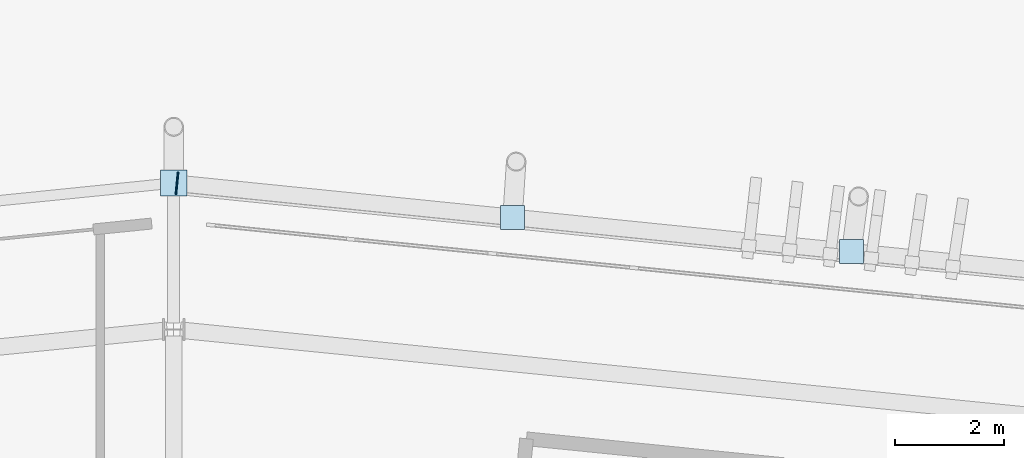
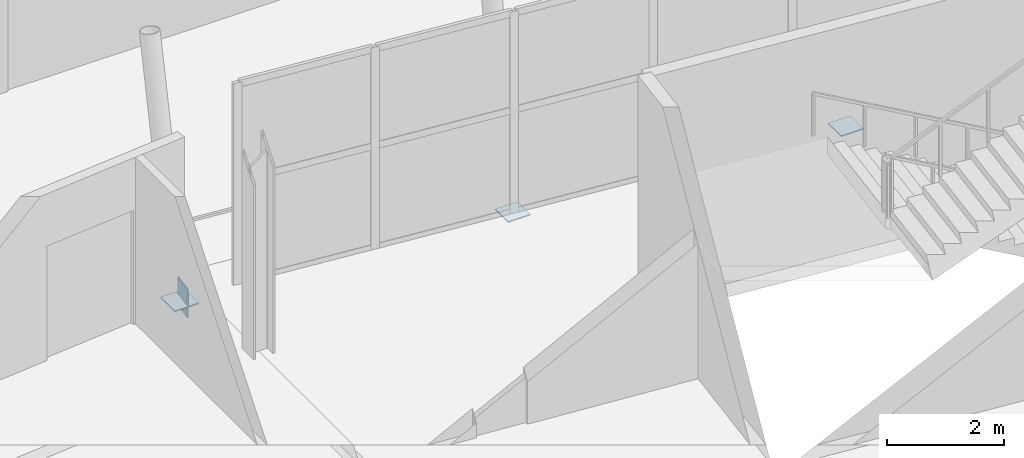
# One storey, part 119 of 179: 4 plates.
"""IFC4 building model written with IfcOpenShell, lengths in metres."""

import ifcopenshell
import ifcopenshell.guid

model = None  # the IFC model being written
_history = None  # IfcOwnerHistory: only IFC2X3 demands one
_inside = {}  # id of a spatial element -> (the spatial element, [elements in it])
_under = {}  # id of a project, library or spatial element -> (it, [spatial elements below it])
_declared = {}  # id of a project -> (the project, [libraries it declares])
_typed = {}  # id of a type object -> (the type object, [elements of that type])
_made_of = {}  # id of a material, layer set ... -> (it, [elements and type objects made of it])


def new_model(schema):
    """Start an empty IFC model of exactly this schema.

    Asked for "IFC4X3", IfcOpenShell would pick the latest addendum, in which some entities
    have other attributes; the version numbers below select the first issue.
    IFC2X3 requires an IfcOwnerHistory on every rooted entity: one is made here for all.
    """
    global model, _history
    if schema == "IFC4X3":
        model = ifcopenshell.file(schema_version=(4, 3, 0, 0))
    else:
        model = ifcopenshell.file(schema=schema)
    _inside.clear()
    _under.clear()
    _declared.clear()
    _typed.clear()
    _made_of.clear()
    _history = None
    if model.schema == "IFC2X3":
        org = make("IfcOrganization", Name="unknown")
        user = make(
            "IfcPersonAndOrganization",
            ThePerson=make("IfcPerson", FamilyName="unknown"),
            TheOrganization=org,
        )
        app = make(
            "IfcApplication",
            ApplicationDeveloper=org,
            Version="unknown",
            ApplicationFullName="unknown",
            ApplicationIdentifier="unknown",
        )
        _history = make(
            "IfcOwnerHistory",
            OwningUser=user,
            OwningApplication=app,
            ChangeAction="ADDED",
            CreationDate=0,
        )
    return model


def make(cls, **values):
    """One entity of the class cls with the attributes given. An attribute that is None is left unset."""
    return model.create_entity(
        cls, **{name: value for name, value in values.items() if value is not None}
    )


def rooted(cls, **values):
    """An entity with a GlobalId (a new one), such as an element, a storey or a relation."""
    return make(cls, GlobalId=ifcopenshell.guid.new(), OwnerHistory=_history, **values)


def si_unit(unit_type, name, prefix=None):
    """IfcSIUnit, for example si_unit("LENGTHUNIT", "METRE", prefix="MILLI")."""
    return make("IfcSIUnit", UnitType=unit_type, Prefix=prefix, Name=name)


def assignment(units):
    """IfcUnitAssignment: the units of a project."""
    return None if units is None else make("IfcUnitAssignment", Units=units)


def point(xyz):
    """IfcCartesianPoint."""
    return None if xyz is None else make("IfcCartesianPoint", Coordinates=xyz)


def direction(xyz):
    """IfcDirection."""
    return None if xyz is None else make("IfcDirection", DirectionRatios=xyz)


def frame(location, z_axis=None, x_axis=None):
    """IfcAxis2Placement3D, a coordinate frame: its origin and axes. An axis left out is left unset."""
    return make(
        "IfcAxis2Placement3D",
        Location=point(location),
        Axis=direction(z_axis),
        RefDirection=direction(x_axis),
    )


def frame_2d(location, x_axis=None):
    """IfcAxis2Placement2D, a coordinate frame in the plane: its origin and x axis."""
    return make(
        "IfcAxis2Placement2D", Location=point(location), RefDirection=direction(x_axis)
    )


def origin():
    """The frame at (0, 0, 0) with its axes left unset."""
    return frame((0.0, 0.0, 0.0))


def origin_2d():
    """The frame at (0, 0) in the plane with its x axis left unset."""
    return frame_2d((0.0, 0.0))


def place(relative_to, where):
    """IfcLocalPlacement: puts the frame where relative to a parent placement (None: the world)."""
    return make(
        "IfcLocalPlacement", PlacementRelTo=relative_to, RelativePlacement=where
    )


def context(
    kind, dimensions, precision=None, world=None, true_north=None, identifier=None
):
    """IfcGeometricRepresentationContext, for example the 3D "Model" context."""
    return make(
        "IfcGeometricRepresentationContext",
        ContextIdentifier=identifier,
        ContextType=kind,
        CoordinateSpaceDimension=dimensions,
        Precision=precision,
        WorldCoordinateSystem=world,
        TrueNorth=true_north,
    )


def subcontext(parent, identifier, kind, view, scale=None):
    """IfcGeometricRepresentationSubContext, for example "Body" below "Model"."""
    return make(
        "IfcGeometricRepresentationSubContext",
        ContextIdentifier=identifier,
        ContextType=kind,
        ParentContext=parent,
        TargetScale=scale,
        TargetView=view,
    )


def project(units=None, contexts=None):
    """IfcProject with its units and contexts."""
    return rooted(
        "IfcProject",
        Name="project",
        RepresentationContexts=contexts,
        UnitsInContext=assignment(units),
    )


def spatial(cls, under=None, at=None, **own):
    """A site, building, storey or space (cls), placed at a placement, below another one or the project."""
    s = rooted(cls, ObjectPlacement=at, **own)
    if under is not None:
        _under.setdefault(under.id(), (under, []))[1].append(s)
    return s


def profile(cls, at=None, kind="AREA", **sizes):
    """A parametric profile (cls). Its sizes go by their IFC names, for example OverallWidth=200.0."""
    return make(cls, ProfileType=kind, Position=at, **sizes)


def rectangle(**sizes):
    """IfcRectangleProfileDef."""
    return profile("IfcRectangleProfileDef", **sizes)


def extrude(swept, where, along, depth):
    """IfcExtrudedAreaSolid: the profile swept, set in the frame where, extruded along a direction by depth."""
    return make(
        "IfcExtrudedAreaSolid",
        SweptArea=swept,
        Position=where,
        ExtrudedDirection=direction(along),
        Depth=depth,
    )


def shape(context_of_items, identifier, shape_type, items):
    """IfcShapeRepresentation: the items that make up one representation, for example the "Body"."""
    return make(
        "IfcShapeRepresentation",
        ContextOfItems=context_of_items,
        RepresentationIdentifier=identifier,
        RepresentationType=shape_type,
        Items=items,
    )


def material(Name=None, Category=None):
    """IfcMaterial."""
    return make("IfcMaterial", Name=Name, Category=Category)


def layer(
    of_material, thickness, ventilated=None, Name=None, Category=None, Priority=None
):
    """IfcMaterialLayer: one layer of a wall or slab, of a material (None: an air gap)."""
    return make(
        "IfcMaterialLayer",
        Material=of_material,
        LayerThickness=thickness,
        IsVentilated=ventilated,
        Name=Name,
        Category=Category,
        Priority=Priority,
    )


def layer_set(layers, Name=None):
    """IfcMaterialLayerSet."""
    return make("IfcMaterialLayerSet", MaterialLayers=layers, LayerSetName=Name)


def made_of(thing, what):
    """Note that an element or type object is made of a material, layer set ...; save() writes the relation."""
    if what is not None:
        _made_of.setdefault(what.id(), (what, []))[1].append(thing)
    return thing


def type_object(cls, material=None, **own):
    """A type object (cls), such as IfcWallType, which elements share."""
    return made_of(rooted(cls, **own), material)


def element(
    cls,
    number,
    at=None,
    inside=None,
    cuts=None,
    type_object=None,
    material=None,
    context=None,
    identifier="Body",
    shape_type=None,
    held_by="IfcProductDefinitionShape",
    body=None,
    shapes=None,
    **own,
):
    """One element of the class cls, such as IfcWall. Its Tag is "e" and its number.

    at: its placement. inside: the storey or other place that contains it. cuts: it is an
    opening in that element (IfcRelVoidsElement). A single representation is given by context,
    identifier, shape_type and body (its items); several are given by shapes. held_by: the class
    of the entity that holds the representations. save() writes the other relations.
    """
    e = rooted(cls, Tag="e%d" % number, ObjectPlacement=at, **own)
    if body is not None:
        shapes = [shape(context, identifier, shape_type, body)]
    if shapes is not None:
        e.Representation = make(held_by, Representations=shapes)
    if inside is not None:
        _inside.setdefault(inside.id(), (inside, []))[1].append(e)
    if cuts is not None:
        rooted(
            "IfcRelVoidsElement", RelatingBuildingElement=cuts, RelatedOpeningElement=e
        )
    if type_object is not None:
        _typed.setdefault(type_object.id(), (type_object, []))[1].append(e)
    return made_of(e, material)


def aggregate(whole, parts):
    """IfcRelAggregates: a whole, such as a stair, and the parts it consists of."""
    return rooted("IfcRelAggregates", RelatingObject=whole, RelatedObjects=parts)


def save(model, path):
    """Write the relations noted so far, then the file.

    IfcRelAggregates (storeys below a building ...), IfcRelContainedInSpatialStructure (elements
    in a storey), IfcRelDefinesByType, IfcRelAssociatesMaterial and IfcRelDeclares: one each for
    every whole, place, type object, material and project.
    """
    for whole, parts in _under.values():
        aggregate(whole, parts)
    for where, things in _inside.values():
        rooted(
            "IfcRelContainedInSpatialStructure",
            RelatedElements=things,
            RelatingStructure=where,
        )
    for kind, things in _typed.values():
        rooted("IfcRelDefinesByType", RelatedObjects=things, RelatingType=kind)
    for what, things in _made_of.values():
        rooted("IfcRelAssociatesMaterial", RelatedObjects=things, RelatingMaterial=what)
    for by, libraries in _declared.values():
        rooted("IfcRelDeclares", RelatingContext=by, RelatedDefinitions=libraries)
    model.write(path)


model = new_model("IFC4")

# Units and contexts
model_context = context("Model", 3, precision=1e-05, world=origin(), true_north=direction((0.0, 1.0)))
body_context = subcontext(model_context, "Body", "Model", "MODEL_VIEW")
ifc_project = project(units=[si_unit("LENGTHUNIT", "METRE"), si_unit("AREAUNIT", "SQUARE_METRE"), si_unit("VOLUMEUNIT", "CUBIC_METRE"), si_unit("PLANEANGLEUNIT", "RADIAN"), si_unit("MASSUNIT", "GRAM", prefix="KILO")], contexts=[model_context])

# Site, building, storey
site_placement = place(None, origin())
site = spatial("IfcSite", under=ifc_project, at=site_placement, CompositionType="ELEMENT")
building_placement = place(site_placement, origin())
building = spatial("IfcBuilding", under=site, at=building_placement, Name="Zlatoyarsky Gate Stadium", CompositionType="ELEMENT")
storey_placement = place(building_placement, frame((0.0, 0.0, 10.60009765625)))
storey = spatial("IfcBuildingStorey", under=building, at=storey_placement, Name="L02", CompositionType="ELEMENT", Elevation=10.60009765625)

# Plates
ifc_material = material(Name="Steel S355", Category="steel")
ifc_layer = layer(ifc_material, 0.02392578125)
ifc_layer_set = layer_set([ifc_layer], Name="Steel S355")
plate_type = type_object("IfcPlateType", Name="STEEL HOLLOW CHORD SPLICE SHEET 24", PredefinedType="SHEET", material=ifc_layer_set)
plate_1_placement = place(storey_placement, frame((111.059814453125, 153.669921875, -0.830078125), z_axis=(0.0, 0.0, 1.0), x_axis=(-0.994900496236, 0.100861303726, 0.0)))
element("IfcPlate", 1, at=plate_1_placement, inside=storey, type_object=plate_type, Name="Hollow end cap ND-SP1 CAP-L02-SPD-05 B", PredefinedType="SHEET", context=body_context, shape_type="SweptSolid", body=[
    extrude(rectangle(XDim=0.02392578125, YDim=0.39990234375, at=origin_2d()), origin(), (0.0, 0.0, 1.0), 0.60009765625),
])
plate_2_placement = place(storey_placement, frame((111.0, 153.67578125, -0.592041015625), z_axis=(0.0, 0.0, 1.0), x_axis=(1.0, 0.0, 0.0)))
element("IfcPlate", 2, at=plate_2_placement, inside=storey, type_object=plate_type, Name="Node closure plate ND-SP1 NCAP-L02-RSTR-06", PredefinedType="SHEET", context=body_context, shape_type="SweptSolid", body=[
    extrude(rectangle(XDim=0.47998046875, YDim=0.47998046875, at=origin_2d()), origin(), (0.0, 0.0, 1.0), 0.02392578125),
])
for number, where, z_axis, x_axis, name in (
    (3, (123.38134765625, 152.420654296875, -0.5419921875), (0.0, 0.0, 1.0), (1.0, 0.0, 0.0), "Node closure plate ND-SP1 NCAP-RIB-05-2-0T"),
    (4, (117.190673828125, 153.04833984375, -0.5419921875), (0.0, 0.0, 1.0), (1.0, 0.0, 0.0), "Node closure plate ND-SP1 NCAP-RIB-05-3-0T"),
):
    element("IfcPlate", number, at=place(storey_placement, frame(where, z_axis=z_axis, x_axis=x_axis)), inside=storey, type_object=plate_type, Name=name, PredefinedType="SHEET", context=body_context, shape_type="SweptSolid", body=[
        extrude(rectangle(XDim=0.43994140625, YDim=0.43994140625, at=origin_2d()), origin(), (0.0, 0.0, 1.0), 0.02392578125),
    ])

save(model, "model.ifc")
